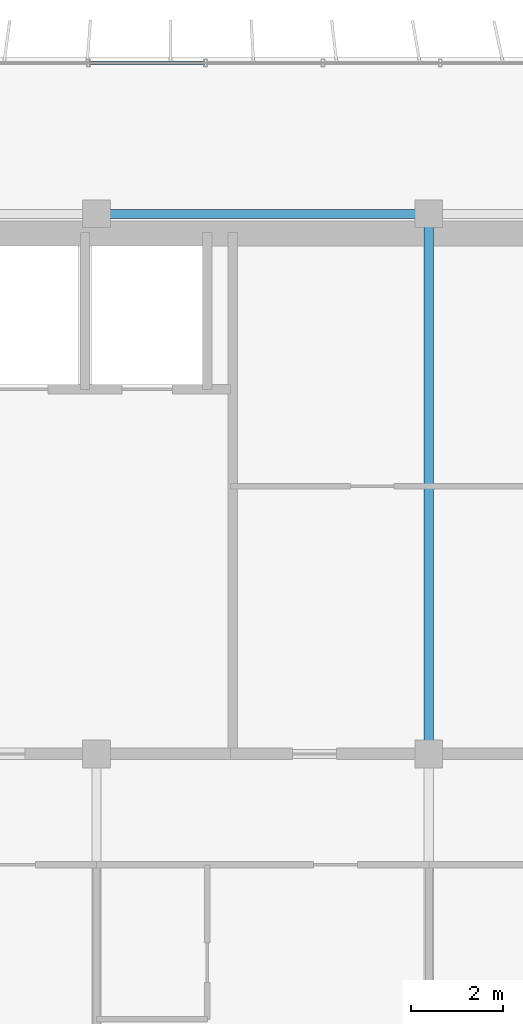
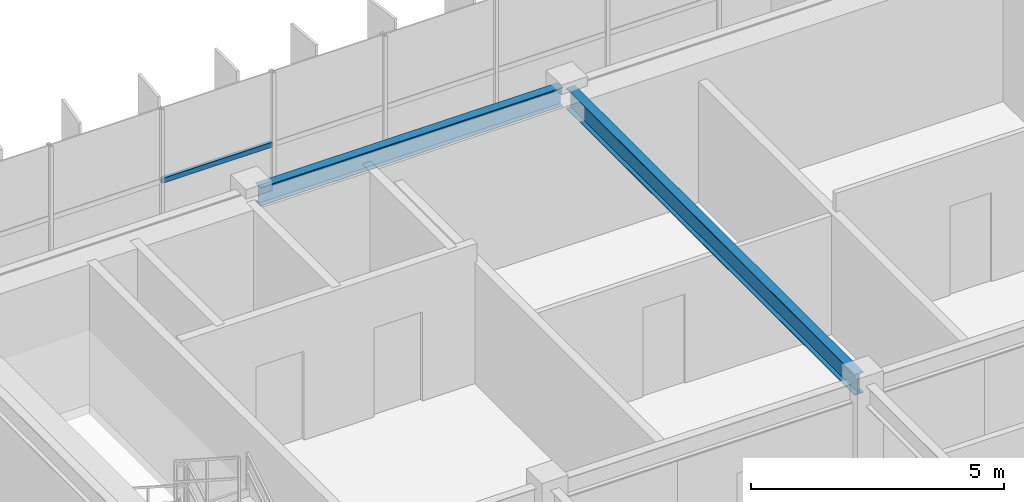
# One storey, part 7 of 22: 2 beams, 1 member, 1 element without a shape of its own.
"""IFC4 building model written with IfcOpenShell, lengths in metres."""

from ifc_helpers import new_model, si_unit, direction, frame, origin, origin_2d, place, context, subcontext, project, spatial, hollow_rectangle, i_section, extrude, source, transform, mapped, material, material_profile, profile_set, type_object, element, aggregate, save


model = new_model("IFC4")

# Units and contexts
model_context = context("Model", 3, precision=1e-05, world=origin(), true_north=direction((0.0, 1.0)))
body_context = subcontext(model_context, "Body", "Model", "MODEL_VIEW")
ifc_project = project(units=[si_unit("LENGTHUNIT", "METRE"), si_unit("AREAUNIT", "SQUARE_METRE"), si_unit("VOLUMEUNIT", "CUBIC_METRE"), si_unit("PLANEANGLEUNIT", "RADIAN"), si_unit("MASSUNIT", "GRAM", prefix="KILO")], contexts=[model_context])

# Site, building, storey
site_placement = place(None, origin())
site = spatial("IfcSite", under=ifc_project, at=site_placement, CompositionType="ELEMENT")
building_placement = place(site_placement, origin())
building = spatial("IfcBuilding", under=site, at=building_placement, Name="Trelvane Seafront Commons", CompositionType="ELEMENT")
storey_placement = place(building_placement, frame((0.0, 0.0, 270.300048828125)))
storey = spatial("IfcBuildingStorey", under=building, at=storey_placement, Name="L70", CompositionType="ELEMENT", Elevation=270.300048828125)

# Beams
ifc_material_1 = material(Name="Steel SM355 (S355)", Category="steel")
ifc_material_profile_1 = material_profile(ifc_material_1, i_section(OverallWidth=0.199951171875, OverallDepth=0.5, WebThickness=0.010009765625, FlangeThickness=0.01611328125, at=origin_2d()), Name="H-500x200x10x16")
ifc_profile_set_1 = profile_set([ifc_material_profile_1], Name="Steel SM355 (S355)")
beam_type_1 = type_object("IfcBeamType", Name="STR-BM-H500", PredefinedType="BEAM", material=ifc_profile_set_1)
shared_shape_1 = source(origin(), body_context, "Body", "SweptSolid", [
    extrude(i_section(OverallWidth=0.199951171875, OverallDepth=0.5, WebThickness=0.010009765625, FlangeThickness=0.01611328125, at=origin_2d()), origin(), (0.0, 0.0, 1.0), 11.39990234375),
])
beam_1_placement = place(storey_placement, frame((30.60009765625, 33.550048828125, 3.119873046875), z_axis=(0.0, 1.0, 0.0), x_axis=(-1.0, 0.0, 0.0)))
element("IfcBeam", 1, at=beam_1_placement, inside=storey, type_object=beam_type_1, Name="L70 Primary Girder G-40", PredefinedType="BEAM", context=body_context, shape_type="MappedRepresentation", body=[
    mapped(shared_shape_1, transform((0.0, 0.0, 0.0), x_axis=(1.0, 0.0, 0.0), y_axis=(0.0, 1.0, 0.0), z_axis=(0.0, 0.0, 1.0), scale=1.0)),
])
ifc_material_profile_2 = material_profile(ifc_material_1, i_section(OverallWidth=0.199951171875, OverallDepth=0.449951171875, WebThickness=0.009033203125, FlangeThickness=0.013916015625, at=origin_2d()), Name="H-450x200x9x14")
ifc_profile_set_2 = profile_set([ifc_material_profile_2], Name="Steel SM355 (S355)")
beam_type_2 = type_object("IfcBeamType", Name="STR-SPD-H450", PredefinedType="SPANDREL", material=ifc_profile_set_2)
shared_shape_2 = source(origin(), body_context, "Body", "SweptSolid", [
    extrude(i_section(OverallWidth=0.199951171875, OverallDepth=0.449951171875, WebThickness=0.009033203125, FlangeThickness=0.013916015625, at=origin_2d()), origin(), (0.0, 0.0, 1.0), 6.89990234375),
])
beam_2_placement = place(storey_placement, frame((23.550048828125, 45.10009765625, 3.14501953125), z_axis=(1.0, 0.0, 0.0), x_axis=(0.0, 1.0, 0.0)))
element("IfcBeam", 2, at=beam_2_placement, inside=storey, type_object=beam_type_2, Name="L70 Primary Girder G-24", PredefinedType="SPANDREL", context=body_context, shape_type="MappedRepresentation", body=[
    mapped(shared_shape_2, transform((0.0, 0.0, 0.0), x_axis=(1.0, 0.0, 0.0), y_axis=(0.0, 1.0, 0.0), z_axis=(0.0, 0.0, 1.0), scale=1.0)),
])

# Curtain wall, member
ifc_material_2 = material(Name="Anodised pale-silver aluminium", Category="aluminium")
curtain_wall_type = type_object("IfcCurtainWallType", Name="ARCH-CW5-UPTOWER", PredefinedType="NOTDEFINED", material=ifc_material_2)
curtain_wall_placement = place(storey_placement, origin())
curtain_wall = element("IfcCurtainWall", 3, at=curtain_wall_placement, inside=storey, type_object=curtain_wall_type, Name="CW-L70-0114", PredefinedType="NOTDEFINED")
ifc_material_profile_3 = material_profile(ifc_material_2, hollow_rectangle(XDim=0.070068359375, YDim=0.1201171875, WallThickness=0.00390625, at=origin_2d()), Name="TRAN-70x120x4")
ifc_profile_set_3 = profile_set([ifc_material_profile_3], Name="Anodised pale-silver aluminium")
member_type = type_object("IfcMemberType", Name="ARCH-CW-TRAN-120", PredefinedType="USERDEFINED", material=ifc_profile_set_3)
shared_shape_3 = source(origin(), body_context, "Body", "SweptSolid", [
    extrude(hollow_rectangle(XDim=0.070068359375, YDim=0.1201171875, WallThickness=0.00390625, at=origin_2d()), origin(), (0.0, 0.0, 1.0), 2.51708984375),
])
member_placement = place(storey_placement, frame((23.235595703125, 48.3701171875, 1.617919921875), z_axis=(1.0, 0.0, 0.0), x_axis=(0.0, 1.0, 0.0)))
member = element("IfcMember", 4, at=member_placement, type_object=member_type, Name="CW-L70-0114-T03", ObjectType="TRANSOM", PredefinedType="USERDEFINED", context=body_context, shape_type="MappedRepresentation", body=[
    mapped(shared_shape_3, transform((0.0, 0.0, 0.0), x_axis=(1.0, 0.0, 0.0), y_axis=(0.0, 1.0, 0.0), z_axis=(0.0, 0.0, 1.0), scale=1.0)),
])
aggregate(curtain_wall, [member])

save(model, "model.ifc")
